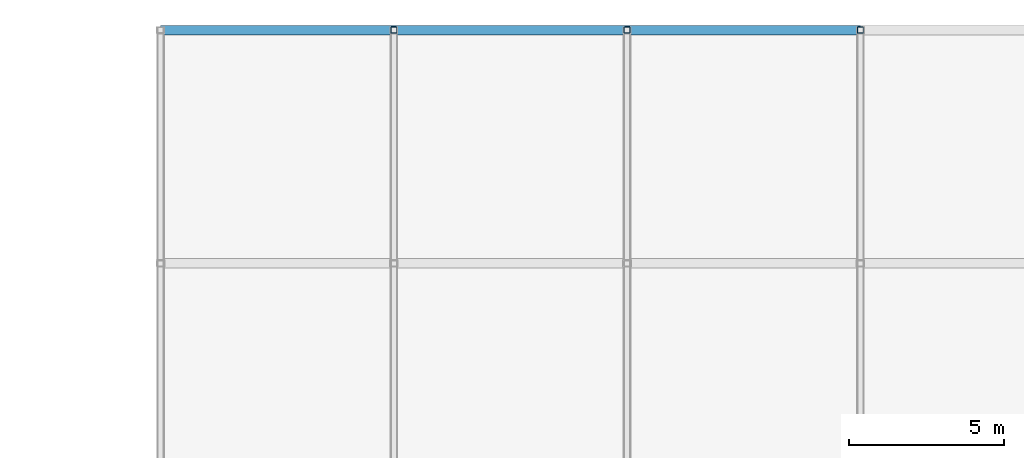
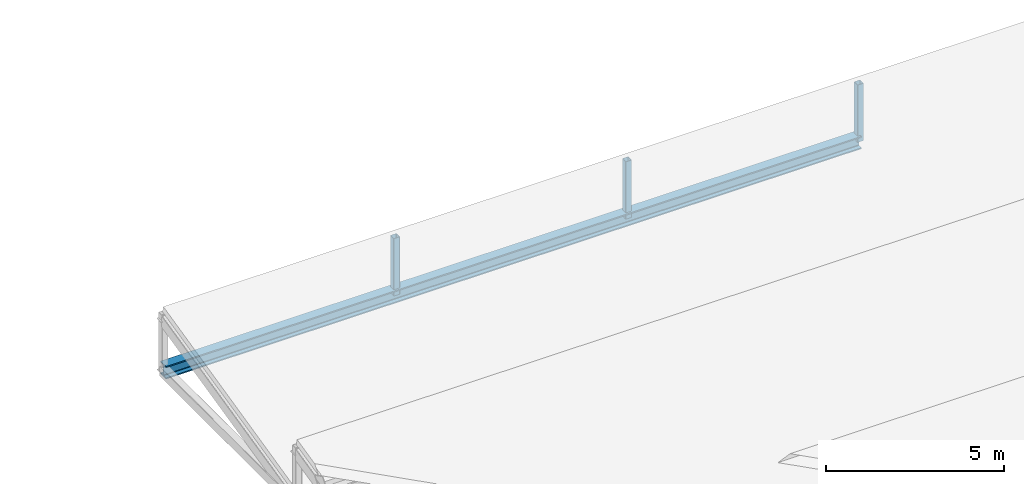
# One storey, part 48 of 82: 4 members.
"""IFC4 building model written with IfcOpenShell, lengths in metres."""

from ifc_helpers import new_model, si_unit, direction, frame, origin, origin_2d, place, context, subcontext, project, spatial, hollow_rectangle, i_section, extrude, material, material_profile, profile_set, type_object, element, save


model = new_model("IFC4")

# Units and contexts
model_context = context("Model", 3, precision=1e-05, world=origin(), true_north=direction((0.0, 1.0)))
body_context = subcontext(model_context, "Body", "Model", "MODEL_VIEW")
ifc_project = project(units=[si_unit("LENGTHUNIT", "METRE"), si_unit("AREAUNIT", "SQUARE_METRE"), si_unit("VOLUMEUNIT", "CUBIC_METRE"), si_unit("PLANEANGLEUNIT", "RADIAN"), si_unit("MASSUNIT", "GRAM", prefix="KILO")], contexts=[model_context])

# Site, building, storey
site_placement = place(None, origin())
site = spatial("IfcSite", under=ifc_project, at=site_placement, CompositionType="ELEMENT")
building_placement = place(site_placement, origin())
building = spatial("IfcBuilding", under=site, at=building_placement, Name="Qasida Concert Hall", CompositionType="ELEMENT")
storey_placement = place(building_placement, frame((0.0, 0.0, 17.10009765625)))
storey = spatial("IfcBuildingStorey", under=building, at=storey_placement, Name="L04", CompositionType="ELEMENT", Elevation=17.10009765625)

# Members
ifc_material = material(Name="Steel S355J2", Category="steel")
ifc_material_profile_1 = material_profile(ifc_material, i_section(OverallWidth=0.306884765625, OverallDepth=0.431884765625, WebThickness=0.02099609375, FlangeThickness=0.0400390625, FilletRadius=0.027099609375, at=origin_2d()), Name="HEM 400")
ifc_profile_set_1 = profile_set([ifc_material_profile_1], Name="Steel S355J2")
member_type_1 = type_object("IfcMemberType", Name="MB-CH3", PredefinedType="CHORD", material=ifc_profile_set_1)
member_placement = place(storey_placement, frame((127.5, 112.5, 0.0), z_axis=(1.0, 0.0, 0.0), x_axis=(0.0, 1.0, 0.0)))
element("IfcMember", 1, at=member_placement, inside=storey, type_object=member_type_1, Name="Roof truss sawtooth bottom chord V4T-011", PredefinedType="CHORD", context=body_context, shape_type="SweptSolid", body=[
    extrude(i_section(OverallWidth=0.306884765625, OverallDepth=0.431884765625, WebThickness=0.02099609375, FlangeThickness=0.0400390625, FilletRadius=0.027099609375, at=origin_2d()), origin(), (0.0, 0.0, 1.0), 22.5),
])
ifc_material_profile_2 = material_profile(ifc_material, hollow_rectangle(XDim=0.199951171875, YDim=0.199951171875, WallThickness=0.010009765625, InnerFilletRadius=0.010009765625, OuterFilletRadius=0.02001953125, at=origin_2d()), Name="SHS 200x200x10")
ifc_profile_set_2 = profile_set([ifc_material_profile_2], Name="Steel S355J2")
member_type_2 = type_object("IfcMemberType", Name="MB-ST6", PredefinedType="STRUT", material=ifc_profile_set_2)
for number, where, z_axis, x_axis, name in (
    (2, (135.0, 112.5, 0.0), (0.0, 0.0, 1.0), (1.0, 0.0, 0.0), "Roof truss sawtooth post V4V-090"),
    (3, (142.5, 112.5, 0.0), (0.0, 0.0, 1.0), (1.0, 0.0, 0.0), "Roof truss sawtooth post V4V-093"),
    (4, (150.0, 112.5, 0.0), (0.0, 0.0, 1.0), (1.0, 0.0, 0.0), "Roof truss sawtooth post V4V-096"),
):
    element("IfcMember", number, at=place(storey_placement, frame(where, z_axis=z_axis, x_axis=x_axis)), inside=storey, type_object=member_type_2, Name=name, PredefinedType="STRUT", context=body_context, shape_type="SweptSolid", body=[
        extrude(hollow_rectangle(XDim=0.199951171875, YDim=0.199951171875, WallThickness=0.010009765625, InnerFilletRadius=0.010009765625, OuterFilletRadius=0.02001953125, at=origin_2d()), origin(), (0.0, 0.0, 1.0), 1.9599609375),
    ])

save(model, "model.ifc")
